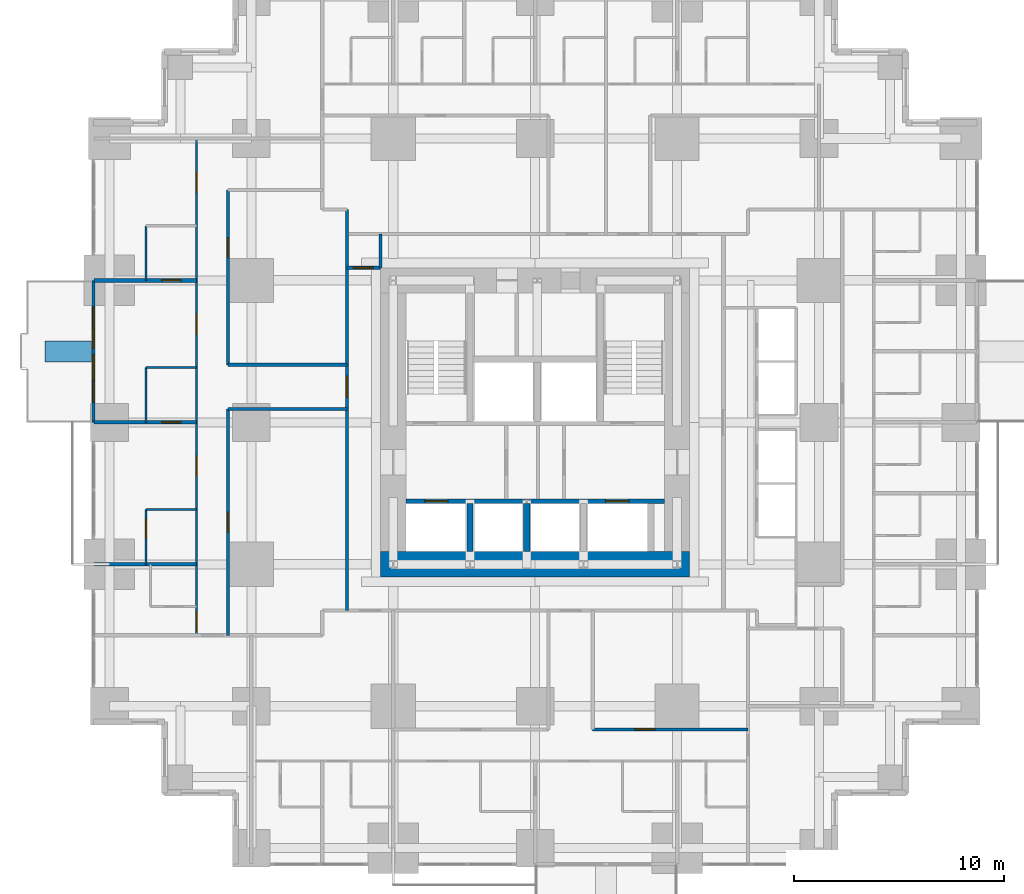
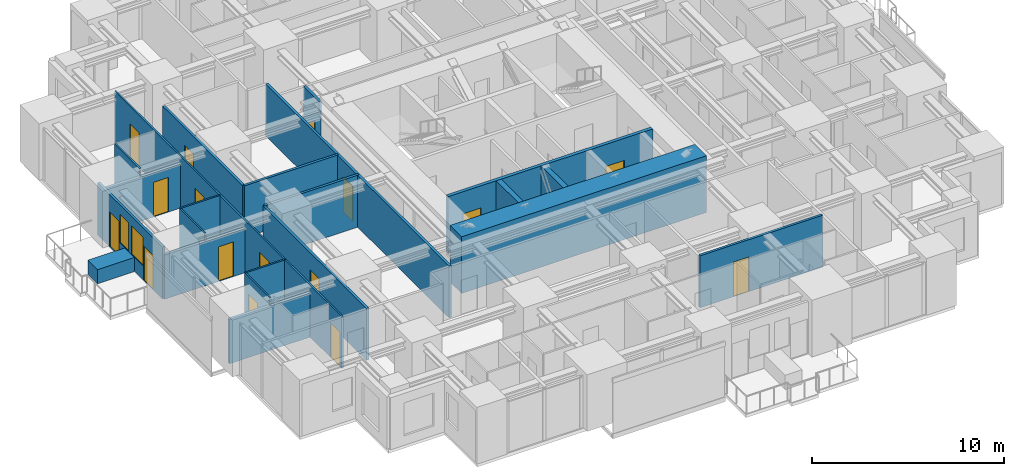
# One storey, part 9 of 15: 23 walls, 16 doors, 2 windows, 18 openings.
"""IFC4 building model written with IfcOpenShell, lengths in metres."""

from ifc_helpers import new_model, si_unit, direction, frame, frame_2d, origin, place, context, subcontext, project, spatial, rectangle, extrude, material, layer, layer_set, type_object, element, fill, save


model = new_model("IFC4")

# Units and contexts
model_context = context("Model", 3, precision=1e-05, world=origin(), true_north=direction((0.0, 1.0)))
body_context = subcontext(model_context, "Body", "Model", "MODEL_VIEW")
ifc_project = project(units=[si_unit("LENGTHUNIT", "METRE"), si_unit("AREAUNIT", "SQUARE_METRE"), si_unit("VOLUMEUNIT", "CUBIC_METRE"), si_unit("PLANEANGLEUNIT", "RADIAN"), si_unit("MASSUNIT", "GRAM", prefix="KILO")], contexts=[model_context])

# Site, building, storey
site_placement = place(None, origin())
site = spatial("IfcSite", under=ifc_project, at=site_placement, CompositionType="ELEMENT")
building_placement = place(site_placement, origin())
building = spatial("IfcBuilding", under=site, at=building_placement, Name="Nyansa Garden Tower", CompositionType="ELEMENT")
storey_placement = place(building_placement, frame((0.0, 0.0, 72.0)))
storey = spatial("IfcBuildingStorey", under=building, at=storey_placement, Name="L19", CompositionType="ELEMENT", Elevation=72.0)

# Wall
ifc_material_1 = material(Name="Dense blockwork, plastered both sides, 55 dB", Category="masonry")
ifc_layer_1 = layer(ifc_material_1, 0.175048828125)
ifc_layer_set_1 = layer_set([ifc_layer_1], Name="Acoustic party wall PW175")
wall_type_1 = type_object("IfcWallType", Name="Acoustic party wall PW175", PredefinedType="PARTITIONING", material=ifc_layer_set_1)
wall_1_placement = place(storey_placement, frame((-0.73388671875, 13.5, 0.0), z_axis=(0.0, 0.0, 1.0), x_axis=(1.0, 0.0, 0.0)))
element("IfcWall", 1, at=wall_1_placement, inside=storey, type_object=wall_type_1, Name="Party wall", PredefinedType="PARTITIONING", context=body_context, shape_type="SweptSolid", body=[
    extrude(rectangle(XDim=4.8837890625, YDim=0.175048828125, at=frame_2d((2.44189453125, 0.0))), origin(), (0.0, 0.0, 1.0), 2.802001953125),
])

# Wall, opening, door
wall_2_placement = place(storey_placement, frame((-0.73388671875, 20.25, 0.0), z_axis=(0.0, 0.0, 1.0), x_axis=(1.0, 0.0, 0.0)))
wall_2 = element("IfcWall", 2, at=wall_2_placement, inside=storey, type_object=wall_type_1, Name="Party wall", PredefinedType="PARTITIONING", context=body_context, shape_type="SweptSolid", body=[
    extrude(rectangle(XDim=4.8837890625, YDim=0.175048828125, at=frame_2d((2.44189453125, 0.0))), origin(), (0.0, 0.0, 1.0), 2.802001953125),
])
opening_1_placement = place(wall_2_placement, frame((3.23388671875, 0.0, 0.0)))
opening_1 = element("IfcOpeningElement", 3, at=opening_1_placement, cuts=wall_2, Name="Opening D02", PredefinedType="OPENING", context=body_context, shape_type="SweptSolid", body=[
    extrude(rectangle(XDim=0.89990234375, YDim=2.199951171875, at=frame_2d((0.449951171875, 1.10009765625))), frame((0.0, 0.097412109375, 0.0), z_axis=(0.0, -1.0, 0.0), x_axis=(1.0, 0.0, 0.0)), (0.0, 0.0, 1.0), 0.195068359375),
])
ifc_material_2 = material(Name="Timber flush door", Category="wood")
door_type_1 = type_object("IfcDoorType", Name="En-suite door D02 900x2200", OperationType="SINGLE_SWING_RIGHT", PredefinedType="DOOR", material=ifc_material_2)
door_1_placement = place(opening_1_placement, origin())
door_1 = element("IfcDoor", 4, at=door_1_placement, inside=storey, type_object=door_type_1, Name="Door L19-070", OperationType="SINGLE_SWING_RIGHT", OverallHeight=2.199951171875, OverallWidth=0.89990234375, PredefinedType="DOOR", context=body_context, shape_type="SweptSolid", body=[
    extrude(rectangle(XDim=0.89990234375, YDim=2.199951171875, at=frame_2d((0.449951171875, 1.10009765625))), frame((0.0, 0.02490234375, 0.0), z_axis=(0.0, -1.0, 0.0), x_axis=(1.0, 0.0, 0.0)), (0.0, 0.0, 1.0), 0.050048828125),
])
fill(opening_1, door_1)

wall_3_placement = place(storey_placement, frame((-0.73388671875, 27.0, 0.0), z_axis=(0.0, 0.0, 1.0), x_axis=(1.0, 0.0, 0.0)))
wall_3 = element("IfcWall", 5, at=wall_3_placement, inside=storey, type_object=wall_type_1, Name="Party wall", PredefinedType="PARTITIONING", context=body_context, shape_type="SweptSolid", body=[
    extrude(rectangle(XDim=4.8837890625, YDim=0.175048828125, at=frame_2d((2.44189453125, 0.0))), origin(), (0.0, 0.0, 1.0), 2.802001953125),
])
opening_2_placement = place(wall_3_placement, frame((3.23388671875, 0.0, 0.0)))
opening_2 = element("IfcOpeningElement", 6, at=opening_2_placement, cuts=wall_3, Name="Opening D02", PredefinedType="OPENING", context=body_context, shape_type="SweptSolid", body=[
    extrude(rectangle(XDim=0.89990234375, YDim=2.199951171875, at=frame_2d((0.449951171875, 1.10009765625))), frame((0.0, 0.097412109375, 0.0), z_axis=(0.0, -1.0, 0.0), x_axis=(1.0, 0.0, 0.0)), (0.0, 0.0, 1.0), 0.195068359375),
])
door_2_placement = place(opening_2_placement, origin())
door_2 = element("IfcDoor", 7, at=door_2_placement, inside=storey, type_object=door_type_1, Name="Door L19-072", OperationType="SINGLE_SWING_RIGHT", OverallHeight=2.199951171875, OverallWidth=0.89990234375, PredefinedType="DOOR", context=body_context, shape_type="SweptSolid", body=[
    extrude(rectangle(XDim=0.89990234375, YDim=2.199951171875, at=frame_2d((0.449951171875, 1.10009765625))), frame((0.0, 0.02490234375, 0.0), z_axis=(0.0, -1.0, 0.0), x_axis=(1.0, 0.0, 0.0)), (0.0, 0.0, 1.0), 0.050048828125),
])
fill(opening_2, door_2)

# Wall, openings, doors, windows
ifc_material_3 = material(Name="Black aluminium framed glazed screen", Category="aluminium")
ifc_layer_2 = layer(ifc_material_3, 0.14990234375)
ifc_layer_set_2 = layer_set([ifc_layer_2], Name="Balcony screen wall BW150")
wall_type_2 = type_object("IfcWallType", Name="Balcony screen wall BW150", PredefinedType="SOLIDWALL", material=ifc_layer_set_2)
wall_4_placement = place(storey_placement, frame((-0.75, 20.25, 0.0), z_axis=(0.0, 0.0, 1.0), x_axis=(0.0, 1.0, 0.0)))
wall_4 = element("IfcWall", 8, at=wall_4_placement, inside=storey, type_object=wall_type_2, Name="Glazed screen wall L19 W", PredefinedType="SOLIDWALL", context=body_context, shape_type="SweptSolid", body=[
    extrude(rectangle(XDim=6.75, YDim=0.14990234375, at=frame_2d((3.375, 0.0))), origin(), (0.0, 0.0, 1.0), 3.300048828125),
])
opening_3_placement = place(wall_4_placement, frame((0.96240234375, 0.0, 0.0)))
opening_3 = element("IfcOpeningElement", 9, at=opening_3_placement, cuts=wall_4, Name="Opening D20", PredefinedType="OPENING", context=body_context, shape_type="SweptSolid", body=[
    extrude(rectangle(XDim=1.0, YDim=2.199951171875, at=frame_2d((0.5, 1.10009765625))), frame((0.0, 0.0849609375, 0.0), z_axis=(0.0, -1.0, 0.0), x_axis=(1.0, 0.0, 0.0)), (0.0, 0.0, 1.0), 0.169921875),
])
opening_4_placement = place(wall_4_placement, frame((2.02490234375, 0.0, 0.89990234375)))
opening_4 = element("IfcOpeningElement", 10, at=opening_4_placement, cuts=wall_4, Name="Opening W6", PredefinedType="OPENING", context=body_context, shape_type="SweptSolid", body=[
    extrude(rectangle(XDim=1.199951171875, YDim=1.800048828125, at=frame_2d((0.60009765625, 0.89990234375))), frame((0.0, 0.0849609375, 0.0), z_axis=(0.0, -1.0, 0.0), x_axis=(1.0, 0.0, 0.0)), (0.0, 0.0, 1.0), 0.169921875),
])
opening_5_placement = place(wall_4_placement, frame((4.487548828125, 0.0, 0.0)))
opening_5 = element("IfcOpeningElement", 11, at=opening_5_placement, cuts=wall_4, Name="Opening D20", PredefinedType="OPENING", context=body_context, shape_type="SweptSolid", body=[
    extrude(rectangle(XDim=1.0, YDim=2.199951171875, at=frame_2d((0.5, 1.10009765625))), frame((0.0, 0.0849609375, 0.0), z_axis=(0.0, -1.0, 0.0), x_axis=(1.0, 0.0, 0.0)), (0.0, 0.0, 1.0), 0.169921875),
])
opening_6_placement = place(wall_4_placement, frame((3.52490234375, 0.0, 0.89990234375)))
opening_6 = element("IfcOpeningElement", 12, at=opening_6_placement, cuts=wall_4, Name="Opening W7", PredefinedType="OPENING", context=body_context, shape_type="SweptSolid", body=[
    extrude(rectangle(XDim=0.89990234375, YDim=1.800048828125, at=frame_2d((0.449951171875, 0.89990234375))), frame((0.0, 0.0849609375, 0.0), z_axis=(0.0, -1.0, 0.0), x_axis=(1.0, 0.0, 0.0)), (0.0, 0.0, 1.0), 0.169921875),
])
ifc_material_4 = material(Name="Black aluminium framed glazed door", Category="aluminium")
door_type_2 = type_object("IfcDoorType", Name="Balcony door D20 1000x2200", OperationType="NOTDEFINED", PredefinedType="DOOR", material=ifc_material_4)
door_3_placement = place(opening_3_placement, origin())
door_3 = element("IfcDoor", 13, at=door_3_placement, inside=storey, type_object=door_type_2, Name="Balcony door L19", OperationType="SINGLE_SWING_LEFT", OverallHeight=2.199951171875, OverallWidth=1.0, PredefinedType="DOOR", context=body_context, shape_type="SweptSolid", body=[
    extrude(rectangle(XDim=1.0, YDim=2.199951171875, at=frame_2d((0.5, 1.10009765625))), frame((0.0, 0.02490234375, 0.0), z_axis=(0.0, -1.0, 0.0), x_axis=(1.0, 0.0, 0.0)), (0.0, 0.0, 1.0), 0.050048828125),
])
fill(opening_3, door_3)
door_4_placement = place(opening_5_placement, origin())
door_4 = element("IfcDoor", 14, at=door_4_placement, inside=storey, type_object=door_type_2, Name="Balcony door L19", OperationType="SINGLE_SWING_RIGHT", OverallHeight=2.199951171875, OverallWidth=1.0, PredefinedType="DOOR", context=body_context, shape_type="SweptSolid", body=[
    extrude(rectangle(XDim=1.0, YDim=2.199951171875, at=frame_2d((0.5, 1.10009765625))), frame((0.0, 0.02490234375, 0.0), z_axis=(0.0, -1.0, 0.0), x_axis=(1.0, 0.0, 0.0)), (0.0, 0.0, 1.0), 0.050048828125),
])
fill(opening_5, door_4)
ifc_material_5 = material(Name="Black aluminium frame, dark tinted double glazing", Category="aluminium")
window_type_1 = type_object("IfcWindowType", Name="Balcony window W6 1200x1800", PartitioningType="SINGLE_PANEL", PredefinedType="WINDOW", material=ifc_material_5)
window_1_placement = place(opening_4_placement, origin())
window_1 = element("IfcWindow", 15, at=window_1_placement, inside=storey, type_object=window_type_1, Name="Window L19", OverallHeight=1.800048828125, OverallWidth=1.199951171875, PartitioningType="SINGLE_PANEL", PredefinedType="WINDOW", context=body_context, shape_type="SweptSolid", body=[
    extrude(rectangle(XDim=1.199951171875, YDim=1.800048828125, at=frame_2d((0.60009765625, 0.89990234375))), frame((0.0, 0.030029296875, 0.0), z_axis=(0.0, -1.0, 0.0), x_axis=(1.0, 0.0, 0.0)), (0.0, 0.0, 1.0), 0.06005859375),
])
fill(opening_4, window_1)
ifc_material_6 = material(Name="Black aluminium frame, dark tinted double glazing", Category="aluminium")
window_type_2 = type_object("IfcWindowType", Name="Balcony window W7 900x1800", PartitioningType="SINGLE_PANEL", PredefinedType="WINDOW", material=ifc_material_6)
window_2_placement = place(opening_6_placement, origin())
window_2 = element("IfcWindow", 16, at=window_2_placement, inside=storey, type_object=window_type_2, Name="Window L19", OverallHeight=1.800048828125, OverallWidth=0.89990234375, PartitioningType="SINGLE_PANEL", PredefinedType="WINDOW", context=body_context, shape_type="SweptSolid", body=[
    extrude(rectangle(XDim=0.89990234375, YDim=1.800048828125, at=frame_2d((0.449951171875, 0.89990234375))), frame((0.0, 0.030029296875, 0.0), z_axis=(0.0, -1.0, 0.0), x_axis=(1.0, 0.0, 0.0)), (0.0, 0.0, 1.0), 0.06005859375),
])
fill(opening_6, window_2)

# Wall, openings, doors
ifc_material_7 = material(Name="Concrete C70/85", Category="concrete")
ifc_layer_3 = layer(ifc_material_7, 0.199951171875)
ifc_layer_set_3 = layer_set([ifc_layer_3], Name="Core inner wall CI200")
wall_type_3 = type_object("IfcWallType", Name="Core inner wall CI200", PredefinedType="SHEAR", material=ifc_layer_set_3)
wall_5_placement = place(storey_placement, frame((14.10009765625, 16.5, 0.0), z_axis=(0.0, 0.0, 1.0), x_axis=(1.0, 0.0, 0.0)))
wall_5 = element("IfcWall", 17, at=wall_5_placement, inside=storey, type_object=wall_type_3, Name="Core inner wall L19", PredefinedType="SHEAR", context=body_context, shape_type="SweptSolid", body=[
    extrude(rectangle(XDim=12.2998046875, YDim=0.199951171875, at=frame_2d((6.14990234375, 0.0))), origin(), (0.0, 0.0, 1.0), 3.60009765625),
])
opening_7_placement = place(wall_5_placement, frame((0.89990234375, 0.0, 0.0)))
opening_7 = element("IfcOpeningElement", 18, at=opening_7_placement, cuts=wall_5, Name="Opening LD-F", PredefinedType="OPENING", context=body_context, shape_type="SweptSolid", body=[
    extrude(rectangle(XDim=1.10009765625, YDim=2.199951171875, at=frame_2d((0.550048828125, 1.10009765625))), frame((0.0, 0.10986328125, 0.0), z_axis=(0.0, -1.0, 0.0), x_axis=(1.0, 0.0, 0.0)), (0.0, 0.0, 1.0), 0.219970703125),
])
opening_8_placement = place(wall_5_placement, frame((9.5, 0.0, 0.0)))
opening_8 = element("IfcOpeningElement", 19, at=opening_8_placement, cuts=wall_5, Name="Opening LD-F", PredefinedType="OPENING", context=body_context, shape_type="SweptSolid", body=[
    extrude(rectangle(XDim=1.10009765625, YDim=2.199951171875, at=frame_2d((0.550048828125, 1.10009765625))), frame((0.0, 0.10986328125, 0.0), z_axis=(0.0, -1.0, 0.0), x_axis=(1.0, 0.0, 0.0)), (0.0, 0.0, 1.0), 0.219970703125),
])
ifc_material_8 = material(Name="Stainless steel centre-opening landing door of the firefighting lift, EN 81-72, E 120", Category="steel")
door_type_3 = type_object("IfcDoorType", Name="Lift landing door LD-F 1100x2200", OperationType="DOUBLE_DOOR_SLIDING", PredefinedType="DOOR", material=ifc_material_8)
door_5_placement = place(opening_7_placement, origin())
door_5 = element("IfcDoor", 20, at=door_5_placement, inside=storey, type_object=door_type_3, Name="Landing door FF1", OperationType="DOUBLE_DOOR_SLIDING", OverallHeight=2.199951171875, OverallWidth=1.10009765625, PredefinedType="DOOR", context=body_context, shape_type="SweptSolid", body=[
    extrude(rectangle(XDim=1.10009765625, YDim=2.199951171875, at=frame_2d((0.550048828125, 1.10009765625))), frame((0.0, 0.02490234375, 0.0), z_axis=(0.0, -1.0, 0.0), x_axis=(1.0, 0.0, 0.0)), (0.0, 0.0, 1.0), 0.050048828125),
])
fill(opening_7, door_5)
door_6_placement = place(opening_8_placement, origin())
door_6 = element("IfcDoor", 21, at=door_6_placement, inside=storey, type_object=door_type_3, Name="Landing door FF2", OperationType="DOUBLE_DOOR_SLIDING", OverallHeight=2.199951171875, OverallWidth=1.10009765625, PredefinedType="DOOR", context=body_context, shape_type="SweptSolid", body=[
    extrude(rectangle(XDim=1.10009765625, YDim=2.199951171875, at=frame_2d((0.550048828125, 1.10009765625))), frame((0.0, 0.02490234375, 0.0), z_axis=(0.0, -1.0, 0.0), x_axis=(1.0, 0.0, 0.0)), (0.0, 0.0, 1.0), 0.050048828125),
])
fill(opening_8, door_6)

# Walls
ifc_material_9 = material(Name="Concrete C70/85", Category="concrete")
ifc_layer_4 = layer(ifc_material_9, 0.300048828125)
ifc_layer_set_4 = layer_set([ifc_layer_4], Name="Core inner wall CI300")
wall_type_4 = type_object("IfcWallType", Name="Core inner wall CI300", PredefinedType="SHEAR", material=ifc_layer_set_4)
for number, where, z_axis, x_axis, name in (
    (22, (17.14990234375, 14.10009765625, 0.0), (0.0, 0.0, 1.0), (0.0, 1.0, 0.0), "Core inner wall L19"),
    (23, (19.85009765625, 14.10009765625, 0.0), (0.0, 0.0, 1.0), (0.0, 1.0, 0.0), "Core inner wall L19"),
):
    element("IfcWall", number, at=place(storey_placement, frame(where, z_axis=z_axis, x_axis=x_axis)), inside=storey, type_object=wall_type_4, Name=name, PredefinedType="SHEAR", context=body_context, shape_type="SweptSolid", body=[
        extrude(rectangle(XDim=2.2998046875, YDim=0.300048828125, at=frame_2d((1.14990234375, 0.0))), origin(), (0.0, 0.0, 1.0), 3.60009765625),
    ])
ifc_material_10 = material(Name="Concrete C80/95", Category="concrete")
ifc_layer_5 = layer(ifc_material_10, 1.199951171875)
ifc_layer_set_5 = layer_set([ifc_layer_5], Name="Core wall CW1200")
wall_type_5 = type_object("IfcWallType", Name="Core wall CW1200", PredefinedType="SHEAR", material=ifc_layer_set_5)
wall_6_placement = place(storey_placement, frame((12.89990234375, 13.5, 0.0), z_axis=(0.0, 0.0, 1.0), x_axis=(1.0, 0.0, 0.0)))
element("IfcWall", 24, at=wall_6_placement, inside=storey, type_object=wall_type_5, Name="Core wall S L19", PredefinedType="SHEAR", context=body_context, shape_type="SweptSolid", body=[
    extrude(rectangle(XDim=14.7001953125, YDim=1.199951171875, at=frame_2d((7.35009765625, 0.0))), origin(), (0.0, 0.0, 1.0), 3.60009765625),
])

# Wall, opening, door
ifc_material_11 = material(Name="Blockwork, plastered both sides", Category="masonry")
ifc_layer_6 = layer(ifc_material_11, 0.14990234375)
ifc_layer_set_6 = layer_set([ifc_layer_6], Name="Partition PW150")
wall_type_6 = type_object("IfcWallType", Name="Partition PW150", PredefinedType="PARTITIONING", material=ifc_layer_set_6)
wall_7_placement = place(storey_placement, frame((5.64990234375, 10.125, 0.0), z_axis=(0.0, 0.0, 1.0), x_axis=(0.0, 1.0, 0.0)))
wall_7 = element("IfcWall", 25, at=wall_7_placement, inside=storey, type_object=wall_type_6, Name="Partition", PredefinedType="PARTITIONING", context=body_context, shape_type="SweptSolid", body=[
    extrude(rectangle(XDim=10.762451171875, YDim=0.14990234375, at=frame_2d((5.38134765625, 0.0))), origin(), (0.0, 0.0, 1.0), 3.300048828125),
])
opening_9_placement = place(wall_7_placement, frame((4.89990234375, 0.0, 0.0)))
opening_9 = element("IfcOpeningElement", 26, at=opening_9_placement, cuts=wall_7, Name="Opening D01", PredefinedType="OPENING", context=body_context, shape_type="SweptSolid", body=[
    extrude(rectangle(XDim=0.949951171875, YDim=2.199951171875, at=frame_2d((0.47509765625, 1.10009765625))), frame((0.0, 0.0849609375, 0.0), z_axis=(0.0, -1.0, 0.0), x_axis=(1.0, 0.0, 0.0)), (0.0, 0.0, 1.0), 0.169921875),
])
ifc_material_12 = material(Name="Timber flush door, 30 minute fire resisting", Category="wood")
door_type_4 = type_object("IfcDoorType", Name="Bedroom door D01 950x2200", OperationType="SINGLE_SWING_LEFT", PredefinedType="DOOR", material=ifc_material_12)
door_7_placement = place(opening_9_placement, origin())
door_7 = element("IfcDoor", 27, at=door_7_placement, inside=storey, type_object=door_type_4, Name="Door L19-076", OperationType="SINGLE_SWING_LEFT", OverallHeight=2.199951171875, OverallWidth=0.949951171875, PredefinedType="DOOR", context=body_context, shape_type="SweptSolid", body=[
    extrude(rectangle(XDim=0.949951171875, YDim=2.199951171875, at=frame_2d((0.47509765625, 1.10009765625))), frame((0.0, 0.02490234375, 0.0), z_axis=(0.0, -1.0, 0.0), x_axis=(1.0, 0.0, 0.0)), (0.0, 0.0, 1.0), 0.050048828125),
])
fill(opening_9, door_7)

# Wall
wall_8_placement = place(storey_placement, frame((5.64990234375, 20.886962890625, 0.0), z_axis=(0.0, 0.0, 1.0), x_axis=(1.0, 0.0, 0.0)))
element("IfcWall", 28, at=wall_8_placement, inside=storey, type_object=wall_type_6, Name="Partition", PredefinedType="PARTITIONING", context=body_context, shape_type="SweptSolid", body=[
    extrude(rectangle(XDim=5.650146484375, YDim=0.14990234375, at=frame_2d((2.8251953125, 0.0))), origin(), (0.0, 0.0, 1.0), 3.300048828125),
])

# Wall, opening, door
wall_9_placement = place(storey_placement, frame((5.64990234375, 22.987548828125, 0.0), z_axis=(0.0, 0.0, 1.0), x_axis=(0.0, 1.0, 0.0)))
wall_9 = element("IfcWall", 29, at=wall_9_placement, inside=storey, type_object=wall_type_6, Name="Partition", PredefinedType="PARTITIONING", context=body_context, shape_type="SweptSolid", body=[
    extrude(rectangle(XDim=8.3125, YDim=0.14990234375, at=frame_2d((4.15625, 0.0))), origin(), (0.0, 0.0, 1.0), 3.300048828125),
])
opening_10_placement = place(wall_9_placement, frame((5.10009765625, 0.0, 0.0)))
opening_10 = element("IfcOpeningElement", 30, at=opening_10_placement, cuts=wall_9, Name="Opening D01", PredefinedType="OPENING", context=body_context, shape_type="SweptSolid", body=[
    extrude(rectangle(XDim=0.949951171875, YDim=2.199951171875, at=frame_2d((0.47509765625, 1.10009765625))), frame((0.0, 0.0849609375, 0.0), z_axis=(0.0, -1.0, 0.0), x_axis=(1.0, 0.0, 0.0)), (0.0, 0.0, 1.0), 0.169921875),
])
door_8_placement = place(opening_10_placement, origin())
door_8 = element("IfcDoor", 31, at=door_8_placement, inside=storey, type_object=door_type_4, Name="Door L19-077", OperationType="SINGLE_SWING_LEFT", OverallHeight=2.199951171875, OverallWidth=0.949951171875, PredefinedType="DOOR", context=body_context, shape_type="SweptSolid", body=[
    extrude(rectangle(XDim=0.949951171875, YDim=2.199951171875, at=frame_2d((0.47509765625, 1.10009765625))), frame((0.0, 0.02490234375, 0.0), z_axis=(0.0, -1.0, 0.0), x_axis=(1.0, 0.0, 0.0)), (0.0, 0.0, 1.0), 0.050048828125),
])
fill(opening_10, door_8)

# Wall
wall_10_placement = place(storey_placement, frame((5.64990234375, 22.988037109375, 0.0), z_axis=(0.0, 0.0, 1.0), x_axis=(1.0, 0.0, 0.0)))
element("IfcWall", 32, at=wall_10_placement, inside=storey, type_object=wall_type_6, Name="Partition", PredefinedType="PARTITIONING", context=body_context, shape_type="SweptSolid", body=[
    extrude(rectangle(XDim=5.650146484375, YDim=0.14990234375, at=frame_2d((2.8251953125, 0.0))), origin(), (0.0, 0.0, 1.0), 3.300048828125),
])

# Wall, opening, door
wall_11_placement = place(storey_placement, frame((11.300048828125, 11.300048828125, 0.0), z_axis=(0.0, 0.0, 1.0), x_axis=(0.0, 1.0, 0.0)))
wall_11 = element("IfcWall", 33, at=wall_11_placement, inside=storey, type_object=wall_type_6, Name="Partition", PredefinedType="PARTITIONING", context=body_context, shape_type="SweptSolid", body=[
    extrude(rectangle(XDim=19.074951171875, YDim=0.14990234375, at=frame_2d((9.53759765625, 0.0))), origin(), (0.0, 0.0, 1.0), 3.300048828125),
])
opening_11_placement = place(wall_11_placement, frame((10.137451171875, 0.0, 0.0)))
opening_11 = element("IfcOpeningElement", 34, at=opening_11_placement, cuts=wall_11, Name="Opening D03", PredefinedType="OPENING", context=body_context, shape_type="SweptSolid", body=[
    extrude(rectangle(XDim=1.0, YDim=2.199951171875, at=frame_2d((0.5, 1.10009765625))), frame((0.0, 0.0849609375, 0.0), z_axis=(0.0, -1.0, 0.0), x_axis=(1.0, 0.0, 0.0)), (0.0, 0.0, 1.0), 0.169921875),
])
ifc_material_13 = material(Name="Timber flush door, 60 minute fire resisting", Category="wood")
door_type_5 = type_object("IfcDoorType", Name="Cluster entrance door D03 1000x2200", OperationType="SINGLE_SWING_LEFT", PredefinedType="DOOR", material=ifc_material_13)
door_9_placement = place(opening_11_placement, origin())
door_9 = element("IfcDoor", 35, at=door_9_placement, inside=storey, type_object=door_type_5, Name="Door L19-075", OperationType="SINGLE_SWING_LEFT", OverallHeight=2.199951171875, OverallWidth=1.0, PredefinedType="DOOR", context=body_context, shape_type="SweptSolid", body=[
    extrude(rectangle(XDim=1.0, YDim=2.199951171875, at=frame_2d((0.5, 1.10009765625))), frame((0.0, 0.02490234375, 0.0), z_axis=(0.0, -1.0, 0.0), x_axis=(1.0, 0.0, 0.0)), (0.0, 0.0, 1.0), 0.050048828125),
])
fill(opening_11, door_9)

wall_12_placement = place(storey_placement, frame((11.300048828125, 27.60009765625, 0.0), z_axis=(0.0, 0.0, 1.0), x_axis=(1.0, 0.0, 0.0)))
wall_12 = element("IfcWall", 36, at=wall_12_placement, inside=storey, type_object=wall_type_6, Name="Partition", PredefinedType="PARTITIONING", context=body_context, shape_type="SweptSolid", body=[
    extrude(rectangle(XDim=1.599853515625, YDim=0.14990234375, at=frame_2d((0.7998046875, 0.0))), origin(), (0.0, 0.0, 1.0), 2.699951171875),
])
opening_12_placement = place(wall_12_placement, frame((0.300048828125, 0.0, 0.0)))
opening_12 = element("IfcOpeningElement", 37, at=opening_12_placement, cuts=wall_12, Name="Opening D01", PredefinedType="OPENING", context=body_context, shape_type="SweptSolid", body=[
    extrude(rectangle(XDim=0.949951171875, YDim=2.199951171875, at=frame_2d((0.47509765625, 1.10009765625))), frame((0.0, 0.0849609375, 0.0), z_axis=(0.0, -1.0, 0.0), x_axis=(1.0, 0.0, 0.0)), (0.0, 0.0, 1.0), 0.169921875),
])
door_10_placement = place(opening_12_placement, origin())
door_10 = element("IfcDoor", 38, at=door_10_placement, inside=storey, type_object=door_type_4, Name="Door L19-017", OperationType="SINGLE_SWING_LEFT", OverallHeight=2.199951171875, OverallWidth=0.949951171875, PredefinedType="DOOR", context=body_context, shape_type="SweptSolid", body=[
    extrude(rectangle(XDim=0.949951171875, YDim=2.199951171875, at=frame_2d((0.47509765625, 1.10009765625))), frame((0.0, 0.02490234375, 0.0), z_axis=(0.0, -1.0, 0.0), x_axis=(1.0, 0.0, 0.0)), (0.0, 0.0, 1.0), 0.050048828125),
])
fill(opening_12, door_10)

# Wall
wall_13_placement = place(storey_placement, frame((12.89990234375, 27.60009765625, 0.0), z_axis=(0.0, 0.0, 1.0), x_axis=(0.0, 1.0, 0.0)))
element("IfcWall", 39, at=wall_13_placement, inside=storey, type_object=wall_type_6, Name="Partition", PredefinedType="PARTITIONING", context=body_context, shape_type="SweptSolid", body=[
    extrude(rectangle(XDim=1.599853515625, YDim=0.14990234375, at=frame_2d((0.7998046875, 0.0))), origin(), (0.0, 0.0, 1.0), 3.300048828125),
])

# Wall, opening, door
wall_14_placement = place(storey_placement, frame((22.987548828125, 5.64990234375, 0.0), z_axis=(0.0, 0.0, 1.0), x_axis=(1.0, 0.0, 0.0)))
wall_14 = element("IfcWall", 40, at=wall_14_placement, inside=storey, type_object=wall_type_6, Name="Partition", PredefinedType="PARTITIONING", context=body_context, shape_type="SweptSolid", body=[
    extrude(rectangle(XDim=7.387451171875, YDim=0.14990234375, at=frame_2d((3.69384765625, 0.0))), origin(), (0.0, 0.0, 1.0), 3.300048828125),
])
opening_13_placement = place(wall_14_placement, frame((2.0, 0.0, 0.0)))
opening_13 = element("IfcOpeningElement", 41, at=opening_13_placement, cuts=wall_14, Name="Opening D01", PredefinedType="OPENING", context=body_context, shape_type="SweptSolid", body=[
    extrude(rectangle(XDim=0.949951171875, YDim=2.199951171875, at=frame_2d((0.47509765625, 1.10009765625))), frame((0.0, 0.0849609375, 0.0), z_axis=(0.0, -1.0, 0.0), x_axis=(1.0, 0.0, 0.0)), (0.0, 0.0, 1.0), 0.169921875),
])
door_11_placement = place(opening_13_placement, origin())
door_11 = element("IfcDoor", 42, at=door_11_placement, inside=storey, type_object=door_type_4, Name="Door L19-031", OperationType="SINGLE_SWING_LEFT", OverallHeight=2.199951171875, OverallWidth=0.949951171875, PredefinedType="DOOR", context=body_context, shape_type="SweptSolid", body=[
    extrude(rectangle(XDim=0.949951171875, YDim=2.199951171875, at=frame_2d((0.47509765625, 1.10009765625))), frame((0.0, 0.02490234375, 0.0), z_axis=(0.0, -1.0, 0.0), x_axis=(1.0, 0.0, 0.0)), (0.0, 0.0, 1.0), 0.050048828125),
])
fill(opening_13, door_11)

# Wall
ifc_material_14 = material(Name="Concrete C40/50 planter, waterproofed", Category="concrete")
ifc_layer_7 = layer(ifc_material_14, 1.0)
ifc_layer_set_7 = layer_set([ifc_layer_7], Name="Tree planter TP1")
wall_type_7 = type_object("IfcWallType", Name="Tree planter TP1", PredefinedType="USERDEFINED", material=ifc_layer_set_7)
wall_15_placement = place(storey_placement, frame((-0.85009765625, 23.625, 0.0), z_axis=(0.0, 0.0, 1.0), x_axis=(-1.0, 0.0, 0.0)))
element("IfcWall", 43, at=wall_15_placement, inside=storey, type_object=wall_type_7, Name="Tree planter L19", ObjectType="TREE PLANTER", PredefinedType="USERDEFINED", context=body_context, shape_type="SweptSolid", body=[
    extrude(rectangle(XDim=2.199951171875, YDim=1.0, at=frame_2d((1.10009765625, 0.0))), origin(), (0.0, 0.0, 1.0), 0.89990234375),
])

# Wall, opening, door
ifc_material_15 = material(Name="Moisture resistant board on steel studs, tiled", Category="steel")
ifc_layer_8 = layer(ifc_material_15, 0.10009765625)
ifc_layer_set_8 = layer_set([ifc_layer_8], Name="Wet wall PW100")
wall_type_8 = type_object("IfcWallType", Name="Wet wall PW100", PredefinedType="PARTITIONING", material=ifc_layer_set_8)
wall_16_placement = place(storey_placement, frame((1.75, 13.5, 0.0), z_axis=(0.0, 0.0, 1.0), x_axis=(0.0, 1.0, 0.0)))
wall_16 = element("IfcWall", 44, at=wall_16_placement, inside=storey, type_object=wall_type_8, Name="Wet wall", PredefinedType="PARTITIONING", context=body_context, shape_type="SweptSolid", body=[
    extrude(rectangle(XDim=2.60009765625, YDim=0.10009765625, at=frame_2d((1.300048828125, 0.0))), origin(), (0.0, 0.0, 1.0), 3.300048828125),
])
opening_14_placement = place(wall_16_placement, frame((1.25, 0.0, 0.0)))
opening_14 = element("IfcOpeningElement", 45, at=opening_14_placement, cuts=wall_16, Name="Opening D02", PredefinedType="OPENING", context=body_context, shape_type="SweptSolid", body=[
    extrude(rectangle(XDim=0.89990234375, YDim=2.199951171875, at=frame_2d((0.449951171875, 1.10009765625))), frame((0.0, 0.06005859375, 0.0), z_axis=(0.0, -1.0, 0.0), x_axis=(1.0, 0.0, 0.0)), (0.0, 0.0, 1.0), 0.1201171875),
])
door_12_placement = place(opening_14_placement, origin())
door_12 = element("IfcDoor", 46, at=door_12_placement, inside=storey, type_object=door_type_1, Name="Door L19-068", OperationType="SINGLE_SWING_RIGHT", OverallHeight=2.199951171875, OverallWidth=0.89990234375, PredefinedType="DOOR", context=body_context, shape_type="SweptSolid", body=[
    extrude(rectangle(XDim=0.89990234375, YDim=2.199951171875, at=frame_2d((0.449951171875, 1.10009765625))), frame((0.0, 0.02490234375, 0.0), z_axis=(0.0, -1.0, 0.0), x_axis=(1.0, 0.0, 0.0)), (0.0, 0.0, 1.0), 0.050048828125),
])
fill(opening_14, door_12)

# Walls
wall_17_placement = place(storey_placement, frame((1.75, 16.10009765625, 0.0), z_axis=(0.0, 0.0, 1.0), x_axis=(1.0, 0.0, 0.0)))
element("IfcWall", 47, at=wall_17_placement, inside=storey, type_object=wall_type_8, Name="Wet wall", PredefinedType="PARTITIONING", context=body_context, shape_type="SweptSolid", body=[
    extrude(rectangle(XDim=2.39990234375, YDim=0.10009765625, at=frame_2d((1.199951171875, 0.0))), origin(), (0.0, 0.0, 1.0), 3.300048828125),
])
wall_18_placement = place(storey_placement, frame((1.75, 20.25, 0.0), z_axis=(0.0, 0.0, 1.0), x_axis=(0.0, 1.0, 0.0)))
element("IfcWall", 48, at=wall_18_placement, inside=storey, type_object=wall_type_8, Name="Wet wall", PredefinedType="PARTITIONING", context=body_context, shape_type="SweptSolid", body=[
    extrude(rectangle(XDim=2.60009765625, YDim=0.10009765625, at=frame_2d((1.300048828125, 0.0))), origin(), (0.0, 0.0, 1.0), 3.300048828125),
])
wall_19_placement = place(storey_placement, frame((1.75, 22.85009765625, 0.0), z_axis=(0.0, 0.0, 1.0), x_axis=(1.0, 0.0, 0.0)))
element("IfcWall", 49, at=wall_19_placement, inside=storey, type_object=wall_type_8, Name="Wet wall", PredefinedType="PARTITIONING", context=body_context, shape_type="SweptSolid", body=[
    extrude(rectangle(XDim=2.39990234375, YDim=0.10009765625, at=frame_2d((1.199951171875, 0.0))), origin(), (0.0, 0.0, 1.0), 3.300048828125),
])
wall_20_placement = place(storey_placement, frame((1.75, 27.0, 0.0), z_axis=(0.0, 0.0, 1.0), x_axis=(0.0, 1.0, 0.0)))
element("IfcWall", 50, at=wall_20_placement, inside=storey, type_object=wall_type_8, Name="Wet wall", PredefinedType="PARTITIONING", context=body_context, shape_type="SweptSolid", body=[
    extrude(rectangle(XDim=2.60009765625, YDim=0.10009765625, at=frame_2d((1.300048828125, 0.0))), origin(), (0.0, 0.0, 1.0), 3.300048828125),
])

# Wall, openings, doors
wall_21_placement = place(storey_placement, frame((4.14990234375, 10.125, 0.0), z_axis=(0.0, 0.0, 1.0), x_axis=(0.0, 1.0, 0.0)))
wall_21 = element("IfcWall", 51, at=wall_21_placement, inside=storey, type_object=wall_type_8, Name="Wet wall", PredefinedType="PARTITIONING", context=body_context, shape_type="SweptSolid", body=[
    extrude(rectangle(XDim=23.625, YDim=0.10009765625, at=frame_2d((11.8125, 0.0))), origin(), (0.0, 0.0, 1.0), 3.300048828125),
])
opening_15_placement = place(wall_21_placement, frame((7.574951171875, 0.0, 0.0)))
opening_15 = element("IfcOpeningElement", 52, at=opening_15_placement, cuts=wall_21, Name="Opening D14", PredefinedType="OPENING", context=body_context, shape_type="SweptSolid", body=[
    extrude(rectangle(XDim=0.949951171875, YDim=2.199951171875, at=frame_2d((0.47509765625, 1.10009765625))), frame((0.0, 0.06005859375, 0.0), z_axis=(0.0, -1.0, 0.0), x_axis=(1.0, 0.0, 0.0)), (0.0, 0.0, 1.0), 0.1201171875),
])
opening_16_placement = place(wall_21_placement, frame((14.324951171875, 0.0, 0.0)))
opening_16 = element("IfcOpeningElement", 53, at=opening_16_placement, cuts=wall_21, Name="Opening D14", PredefinedType="OPENING", context=body_context, shape_type="SweptSolid", body=[
    extrude(rectangle(XDim=0.949951171875, YDim=2.199951171875, at=frame_2d((0.47509765625, 1.10009765625))), frame((0.0, 0.06005859375, 0.0), z_axis=(0.0, -1.0, 0.0), x_axis=(1.0, 0.0, 0.0)), (0.0, 0.0, 1.0), 0.1201171875),
])
opening_17_placement = place(wall_21_placement, frame((21.074951171875, 0.0, 0.0)))
opening_17 = element("IfcOpeningElement", 54, at=opening_17_placement, cuts=wall_21, Name="Opening D14", PredefinedType="OPENING", context=body_context, shape_type="SweptSolid", body=[
    extrude(rectangle(XDim=0.949951171875, YDim=2.199951171875, at=frame_2d((0.47509765625, 1.10009765625))), frame((0.0, 0.06005859375, 0.0), z_axis=(0.0, -1.0, 0.0), x_axis=(1.0, 0.0, 0.0)), (0.0, 0.0, 1.0), 0.1201171875),
])
opening_18_placement = place(wall_21_placement, frame((0.199951171875, 0.0, 0.0)))
opening_18 = element("IfcOpeningElement", 55, at=opening_18_placement, cuts=wall_21, Name="Opening D14", PredefinedType="OPENING", context=body_context, shape_type="SweptSolid", body=[
    extrude(rectangle(XDim=0.949951171875, YDim=2.199951171875, at=frame_2d((0.47509765625, 1.10009765625))), frame((0.0, 0.06005859375, 0.0), z_axis=(0.0, -1.0, 0.0), x_axis=(1.0, 0.0, 0.0)), (0.0, 0.0, 1.0), 0.1201171875),
])
ifc_material_16 = material(Name="Timber flush door, 60 minute fire resisting, self-closing", Category="wood")
door_type_6 = type_object("IfcDoorType", Name="Studio entrance door D14 950x2200", OperationType="SINGLE_SWING_LEFT", PredefinedType="DOOR", material=ifc_material_16)
door_13_placement = place(opening_15_placement, origin())
door_13 = element("IfcDoor", 56, at=door_13_placement, inside=storey, type_object=door_type_6, Name="Door L19-067", OperationType="SINGLE_SWING_LEFT", OverallHeight=2.199951171875, OverallWidth=0.949951171875, PredefinedType="DOOR", context=body_context, shape_type="SweptSolid", body=[
    extrude(rectangle(XDim=0.949951171875, YDim=2.199951171875, at=frame_2d((0.47509765625, 1.10009765625))), frame((0.0, 0.02490234375, 0.0), z_axis=(0.0, -1.0, 0.0), x_axis=(1.0, 0.0, 0.0)), (0.0, 0.0, 1.0), 0.050048828125),
])
fill(opening_15, door_13)
door_14_placement = place(opening_16_placement, origin())
door_14 = element("IfcDoor", 57, at=door_14_placement, inside=storey, type_object=door_type_6, Name="Door L19-069", OperationType="SINGLE_SWING_LEFT", OverallHeight=2.199951171875, OverallWidth=0.949951171875, PredefinedType="DOOR", context=body_context, shape_type="SweptSolid", body=[
    extrude(rectangle(XDim=0.949951171875, YDim=2.199951171875, at=frame_2d((0.47509765625, 1.10009765625))), frame((0.0, 0.02490234375, 0.0), z_axis=(0.0, -1.0, 0.0), x_axis=(1.0, 0.0, 0.0)), (0.0, 0.0, 1.0), 0.050048828125),
])
fill(opening_16, door_14)
door_15_placement = place(opening_17_placement, origin())
door_15 = element("IfcDoor", 58, at=door_15_placement, inside=storey, type_object=door_type_6, Name="Door L19-071", OperationType="SINGLE_SWING_LEFT", OverallHeight=2.199951171875, OverallWidth=0.949951171875, PredefinedType="DOOR", context=body_context, shape_type="SweptSolid", body=[
    extrude(rectangle(XDim=0.949951171875, YDim=2.199951171875, at=frame_2d((0.47509765625, 1.10009765625))), frame((0.0, 0.02490234375, 0.0), z_axis=(0.0, -1.0, 0.0), x_axis=(1.0, 0.0, 0.0)), (0.0, 0.0, 1.0), 0.050048828125),
])
fill(opening_17, door_15)
door_16_placement = place(opening_18_placement, origin())
door_16 = element("IfcDoor", 59, at=door_16_placement, inside=storey, type_object=door_type_6, Name="Door L19-073", OperationType="SINGLE_SWING_LEFT", OverallHeight=2.199951171875, OverallWidth=0.949951171875, PredefinedType="DOOR", context=body_context, shape_type="SweptSolid", body=[
    extrude(rectangle(XDim=0.949951171875, YDim=2.199951171875, at=frame_2d((0.47509765625, 1.10009765625))), frame((0.0, 0.02490234375, 0.0), z_axis=(0.0, -1.0, 0.0), x_axis=(1.0, 0.0, 0.0)), (0.0, 0.0, 1.0), 0.050048828125),
])
fill(opening_18, door_16)

save(model, "model.ifc")
